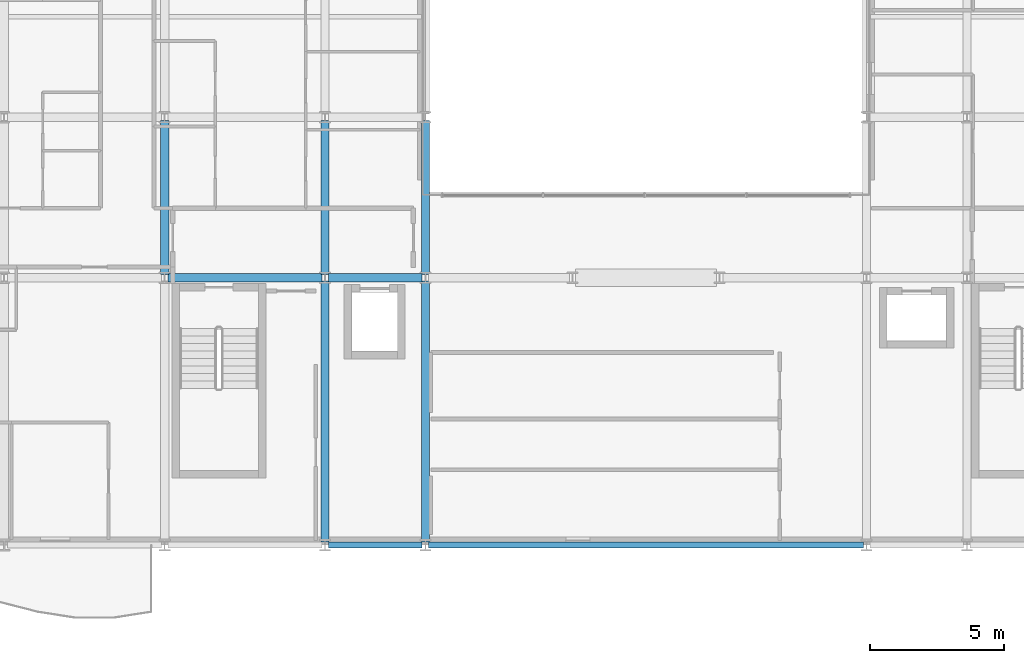
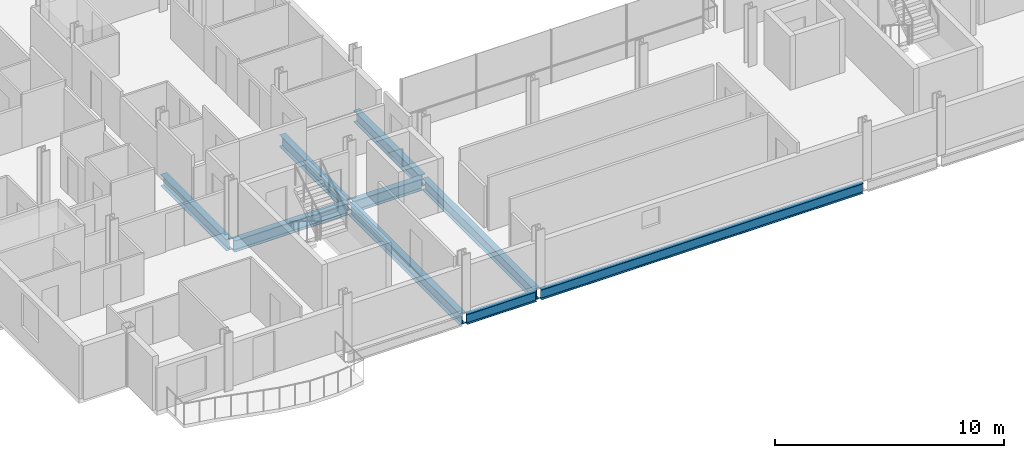
# One storey, part 3 of 40: 9 beams.
"""IFC4 building model written with IfcOpenShell, lengths in metres."""

from ifc_helpers import new_model, si_unit, direction, frame, origin, origin_2d, place, context, subcontext, project, spatial, i_section, extrude, material, material_profile, profile_set, type_object, element, save


model = new_model("IFC4")

# Units and contexts
model_context = context("Model", 3, precision=1e-05, world=origin(), true_north=direction((0.0, 1.0)))
body_context = subcontext(model_context, "Body", "Model", "MODEL_VIEW")
ifc_project = project(units=[si_unit("LENGTHUNIT", "METRE"), si_unit("AREAUNIT", "SQUARE_METRE"), si_unit("VOLUMEUNIT", "CUBIC_METRE"), si_unit("PLANEANGLEUNIT", "RADIAN"), si_unit("MASSUNIT", "GRAM", prefix="KILO")], contexts=[model_context])

# Site, building, storey
site_placement = place(None, origin())
site = spatial("IfcSite", under=ifc_project, at=site_placement, CompositionType="ELEMENT")
building_placement = place(site_placement, origin())
building = spatial("IfcBuilding", under=site, at=building_placement, Name="Brevholm Reach", CompositionType="ELEMENT")
storey_placement = place(building_placement, frame((0.0, 0.0, 62.10009765625)))
storey = spatial("IfcBuildingStorey", under=building, at=storey_placement, Name="L17", CompositionType="ELEMENT", Elevation=62.10009765625)

# Beams
ifc_material_1 = material(Name="Structural Steel S355J2", Category="steel")
ifc_material_profile_1 = material_profile(ifc_material_1, i_section(OverallWidth=0.210693359375, OverallDepth=0.53955078125, WebThickness=0.01171875, FlangeThickness=0.018798828125, FilletRadius=0.0126953125, at=origin_2d()), Name="UKB 533x210x109")
ifc_profile_set_1 = profile_set([ifc_material_profile_1], Name="Structural Steel S355J2")
beam_type_1 = type_object("IfcBeamType", Name="BM-SP539", PredefinedType="SPANDREL", material=ifc_profile_set_1)
beam_1_placement = place(storey_placement, frame((18.1201171875, 0.0, -0.499755859375), z_axis=(1.0, 0.0, 0.0), x_axis=(0.0, 1.0, 0.0)))
element("IfcBeam", 1, at=beam_1_placement, inside=storey, type_object=beam_type_1, Name="L17 SP-01B Framing Beam", PredefinedType="SPANDREL", context=body_context, shape_type="SweptSolid", body=[
    extrude(i_section(OverallWidth=0.210693359375, OverallDepth=0.53955078125, WebThickness=0.01171875, FlangeThickness=0.018798828125, FilletRadius=0.0126953125, at=origin_2d()), origin(), (0.0, 0.0, 1.0), 3.509765625),
])
beam_2_placement = place(storey_placement, frame((21.8701171875, 0.0, -0.499755859375), z_axis=(1.0, 0.0, 0.0), x_axis=(0.0, 1.0, 0.0)))
element("IfcBeam", 2, at=beam_2_placement, inside=storey, type_object=beam_type_1, Name="L17 SP-01B Framing Beam", PredefinedType="SPANDREL", context=body_context, shape_type="SweptSolid", body=[
    extrude(i_section(OverallWidth=0.210693359375, OverallDepth=0.53955078125, WebThickness=0.01171875, FlangeThickness=0.018798828125, FilletRadius=0.0126953125, at=origin_2d()), origin(), (0.0, 0.0, 1.0), 16.259765625),
])
ifc_material_2 = material(Name="Structural Steel S355J2", Category="steel")
ifc_material_profile_2 = material_profile(ifc_material_2, i_section(OverallWidth=0.30712890625, OverallDepth=0.6201171875, WebThickness=0.01416015625, FlangeThickness=0.023681640625, FilletRadius=0.0166015625, at=origin_2d()), Name="UKB 610x305x179")
ifc_profile_set_2 = profile_set([ifc_material_profile_2], Name="Structural Steel S355J2")
beam_type_2 = type_object("IfcBeamType", Name="BM-UKB610H", PredefinedType="USERDEFINED", material=ifc_profile_set_2)
beam_3_placement = place(storey_placement, frame((12.1201171875, 10.0, -0.540283203125), z_axis=(1.0, 0.0, 0.0), x_axis=(0.0, 1.0, 0.0)))
element("IfcBeam", 3, at=beam_3_placement, inside=storey, type_object=beam_type_2, Name="L17 G-06 Framing Beam", ObjectType="GIRDER", PredefinedType="USERDEFINED", context=body_context, shape_type="SweptSolid", body=[
    extrude(i_section(OverallWidth=0.30712890625, OverallDepth=0.6201171875, WebThickness=0.01416015625, FlangeThickness=0.023681640625, FilletRadius=0.0166015625, at=origin_2d()), origin(), (0.0, 0.0, 1.0), 5.759765625),
])
beam_4_placement = place(storey_placement, frame((18.1201171875, 10.0, -0.540283203125), z_axis=(1.0, 0.0, 0.0), x_axis=(0.0, 1.0, 0.0)))
element("IfcBeam", 4, at=beam_4_placement, inside=storey, type_object=beam_type_2, Name="L17 G-06 Framing Beam", ObjectType="GIRDER", PredefinedType="USERDEFINED", context=body_context, shape_type="SweptSolid", body=[
    extrude(i_section(OverallWidth=0.30712890625, OverallDepth=0.6201171875, WebThickness=0.01416015625, FlangeThickness=0.023681640625, FilletRadius=0.0166015625, at=origin_2d()), origin(), (0.0, 0.0, 1.0), 3.509765625),
])
beam_5_placement = place(storey_placement, frame((12.0, 10.1201171875, -0.540283203125), z_axis=(0.0, 1.0, 0.0), x_axis=(-1.0, 0.0, 0.0)))
element("IfcBeam", 5, at=beam_5_placement, inside=storey, type_object=beam_type_2, Name="L17 G-06 Framing Beam", ObjectType="GIRDER", PredefinedType="USERDEFINED", context=body_context, shape_type="SweptSolid", body=[
    extrude(i_section(OverallWidth=0.30712890625, OverallDepth=0.6201171875, WebThickness=0.01416015625, FlangeThickness=0.023681640625, FilletRadius=0.0166015625, at=origin_2d()), origin(), (0.0, 0.0, 1.0), 5.759765625),
])
beam_6_placement = place(storey_placement, frame((18.0, 0.1201171875, -0.540283203125), z_axis=(0.0, 1.0, 0.0), x_axis=(-1.0, 0.0, 0.0)))
element("IfcBeam", 6, at=beam_6_placement, inside=storey, type_object=beam_type_2, Name="L17 G-06 Framing Beam", ObjectType="GIRDER", PredefinedType="USERDEFINED", context=body_context, shape_type="SweptSolid", body=[
    extrude(i_section(OverallWidth=0.30712890625, OverallDepth=0.6201171875, WebThickness=0.01416015625, FlangeThickness=0.023681640625, FilletRadius=0.0166015625, at=origin_2d()), origin(), (0.0, 0.0, 1.0), 9.759765625),
])
beam_7_placement = place(storey_placement, frame((18.0, 10.1201171875, -0.540283203125), z_axis=(0.0, 1.0, 0.0), x_axis=(-1.0, 0.0, 0.0)))
element("IfcBeam", 7, at=beam_7_placement, inside=storey, type_object=beam_type_2, Name="L17 G-06 Framing Beam", ObjectType="GIRDER", PredefinedType="USERDEFINED", context=body_context, shape_type="SweptSolid", body=[
    extrude(i_section(OverallWidth=0.30712890625, OverallDepth=0.6201171875, WebThickness=0.01416015625, FlangeThickness=0.023681640625, FilletRadius=0.0166015625, at=origin_2d()), origin(), (0.0, 0.0, 1.0), 5.759765625),
])
beam_8_placement = place(storey_placement, frame((21.75, 0.1201171875, -0.540283203125), z_axis=(0.0, 1.0, 0.0), x_axis=(-1.0, 0.0, 0.0)))
element("IfcBeam", 8, at=beam_8_placement, inside=storey, type_object=beam_type_2, Name="L17 G-06 Framing Beam", ObjectType="GIRDER", PredefinedType="USERDEFINED", context=body_context, shape_type="SweptSolid", body=[
    extrude(i_section(OverallWidth=0.30712890625, OverallDepth=0.6201171875, WebThickness=0.01416015625, FlangeThickness=0.023681640625, FilletRadius=0.0166015625, at=origin_2d()), origin(), (0.0, 0.0, 1.0), 9.759765625),
])
beam_9_placement = place(storey_placement, frame((21.75, 10.1201171875, -0.540283203125), z_axis=(0.0, 1.0, 0.0), x_axis=(-1.0, 0.0, 0.0)))
element("IfcBeam", 9, at=beam_9_placement, inside=storey, type_object=beam_type_2, Name="L17 G-06 Framing Beam", ObjectType="GIRDER", PredefinedType="USERDEFINED", context=body_context, shape_type="SweptSolid", body=[
    extrude(i_section(OverallWidth=0.30712890625, OverallDepth=0.6201171875, WebThickness=0.01416015625, FlangeThickness=0.023681640625, FilletRadius=0.0166015625, at=origin_2d()), origin(), (0.0, 0.0, 1.0), 5.759765625),
])

save(model, "model.ifc")
